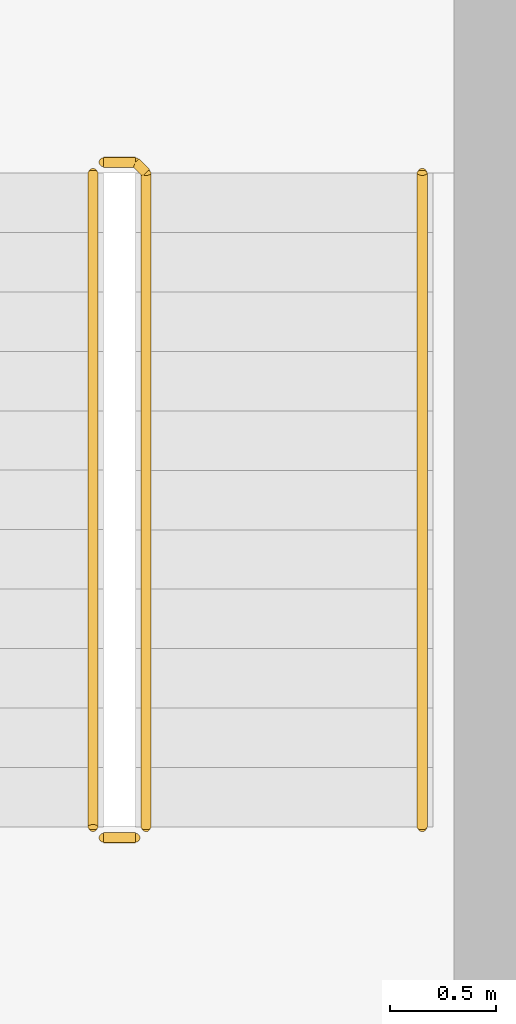
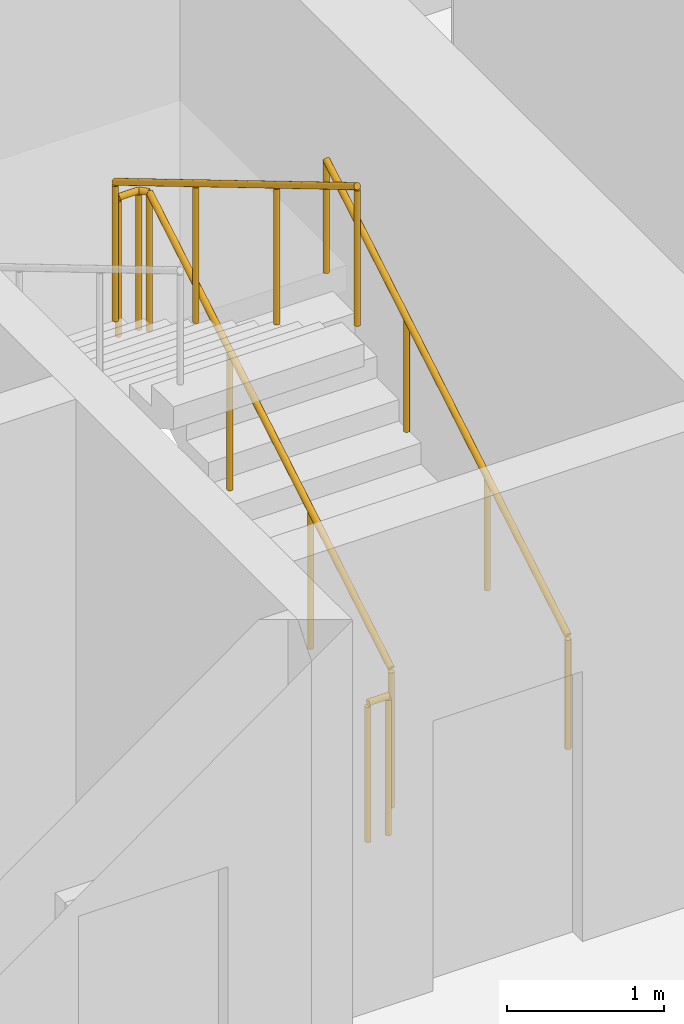
# One storey, part 14 of 14: 4 railings.
"""IFC4 building model written with IfcOpenShell, lengths in metres."""

from ifc_helpers import new_model, si_unit, direction, frame, origin, origin_2d, place, context, subcontext, project, spatial, circle, extrude, material, type_object, element, save


model = new_model("IFC4")

# Units and contexts
model_context = context("Model", 3, precision=1e-05, world=origin(), true_north=direction((0.0, 1.0)))
body_context = subcontext(model_context, "Body", "Model", "MODEL_VIEW")
ifc_project = project(units=[si_unit("LENGTHUNIT", "METRE"), si_unit("AREAUNIT", "SQUARE_METRE"), si_unit("VOLUMEUNIT", "CUBIC_METRE"), si_unit("PLANEANGLEUNIT", "RADIAN"), si_unit("MASSUNIT", "GRAM", prefix="KILO")], contexts=[model_context])

# Site, building, storey
site_placement = place(None, origin())
site = spatial("IfcSite", under=ifc_project, at=site_placement, CompositionType="ELEMENT")
building_placement = place(site_placement, origin())
building = spatial("IfcBuilding", under=site, at=building_placement, Name="Mopane Tessera Tower", CompositionType="ELEMENT")
storey_placement = place(building_placement, frame((0.0, 0.0, 219.0)))
storey = spatial("IfcBuildingStorey", under=building, at=storey_placement, Name="L46", CompositionType="ELEMENT", Elevation=219.0)

# Railings
ifc_material_1 = material(Name="Powder-coated steel balustrade", Category="steel")
railing_type_1 = type_object("IfcRailingType", Name="Escape stair guard 1100 mm", PredefinedType="GUARDRAIL", material=ifc_material_1)
railing_1_placement = place(storey_placement, frame((12.35009765625, 7.699951171875, 0.166748046875)))
element("IfcRailing", 1, at=railing_1_placement, inside=storey, type_object=railing_type_1, Name="L46 ST4 stair guard 1", PredefinedType="GUARDRAIL", context=body_context, shape_type="SweptSolid", body=[
    extrude(circle(Radius=0.02392578125, at=origin_2d()), frame((0.0, 0.0, 1.076171875), z_axis=(0.0, 0.859308565015, 0.511457515432), x_axis=(-1.0, 0.0, 0.0)), (0.0, 0.0, 1.0), 3.58447265625),
    extrude(circle(Radius=0.02392578125, at=origin_2d()), frame((0.0, 3.080078125, 2.9091796875), z_axis=(-0.707106781187, 0.707106781187, 0.0), x_axis=(-0.707106781187, -0.707106781187, 0.0)), (0.0, 0.0, 1.0), 0.07080078125),
    extrude(circle(Radius=0.02392578125, at=origin_2d()), frame((-0.050048828125, 3.130126953125, 2.9091796875), z_axis=(-1.0, 0.0, 0.0), x_axis=(0.0, -1.0, 0.0)), (0.0, 0.0, 1.0), 0.150146484375),
    extrude(circle(Radius=0.02099609375, at=origin_2d()), origin(), (0.0, 0.0, 1.0), 1.052001953125),
    extrude(circle(Radius=0.02099609375, at=origin_2d()), frame((0.0, 1.026611328125, 0.611083984375)), (0.0, 0.0, 1.0), 1.052001953125),
    extrude(circle(Radius=0.02099609375, at=origin_2d()), frame((0.0, 2.053466796875, 1.22216796875)), (0.0, 0.0, 1.0), 1.052001953125),
    extrude(circle(Radius=0.02099609375, at=origin_2d()), frame((0.0, 3.080078125, 1.833251953125)), (0.0, 0.0, 1.0), 1.052001953125),
    extrude(circle(Radius=0.02099609375, at=origin_2d()), frame((-0.050048828125, 3.130126953125, 1.833251953125)), (0.0, 0.0, 1.0), 1.052001953125),
    extrude(circle(Radius=0.02099609375, at=origin_2d()), frame((-0.2001953125, 3.130126953125, 1.833251953125)), (0.0, 0.0, 1.0), 1.052001953125),
])
railing_2_placement = place(storey_placement, frame((12.10009765625, 10.780029296875, 2.166748046875)))
element("IfcRailing", 2, at=railing_2_placement, inside=storey, type_object=railing_type_1, Name="L46 ST4 stair guard 2", PredefinedType="GUARDRAIL", context=body_context, shape_type="SweptSolid", body=[
    extrude(circle(Radius=0.02392578125, at=origin_2d()), frame((0.0, 0.0, 1.076171875), z_axis=(0.0, -0.859308565015, 0.511457515432), x_axis=(1.0, 0.0, 0.0)), (0.0, 0.0, 1.0), 3.58447265625),
    extrude(circle(Radius=0.02099609375, at=origin_2d()), origin(), (0.0, 0.0, 1.0), 1.052001953125),
    extrude(circle(Radius=0.02099609375, at=origin_2d()), frame((0.0, -1.026611328125, 0.611083984375)), (0.0, 0.0, 1.0), 1.052001953125),
    extrude(circle(Radius=0.02099609375, at=origin_2d()), frame((0.0, -2.053466796875, 1.22216796875)), (0.0, 0.0, 1.0), 1.052001953125),
    extrude(circle(Radius=0.02099609375, at=origin_2d()), frame((0.0, -3.080078125, 1.833251953125)), (0.0, 0.0, 1.0), 1.052001953125),
])
railing_3_placement = place(storey_placement, frame((12.300048828125, 7.64990234375, 0.0)))
element("IfcRailing", 3, at=railing_3_placement, inside=storey, type_object=railing_type_1, Name="L46 ST4 stair guard 3", PredefinedType="GUARDRAIL", context=body_context, shape_type="SweptSolid", body=[
    extrude(circle(Radius=0.02392578125, at=origin_2d()), frame((0.0, 0.0, 1.076171875), z_axis=(-1.0, 0.0, 0.0), x_axis=(0.0, -1.0, 0.0)), (0.0, 0.0, 1.0), 0.150146484375),
    extrude(circle(Radius=0.02099609375, at=origin_2d()), origin(), (0.0, 0.0, 1.0), 1.052001953125),
    extrude(circle(Radius=0.02099609375, at=origin_2d()), frame((-0.150146484375, 0.0, 0.0)), (0.0, 0.0, 1.0), 1.052001953125),
])
ifc_material_2 = material(Name="Powder-coated steel balustrade", Category="steel")
railing_type_2 = type_object("IfcRailingType", Name="Escape stair handrail 900 mm", PredefinedType="HANDRAIL", material=ifc_material_2)
railing_4_placement = place(storey_placement, frame((13.64990234375, 7.699951171875, 0.166748046875)))
element("IfcRailing", 4, at=railing_4_placement, inside=storey, type_object=railing_type_2, Name="L46 ST4 stair handrail 1", PredefinedType="HANDRAIL", context=body_context, shape_type="SweptSolid", body=[
    extrude(circle(Radius=0.02392578125, at=origin_2d()), frame((0.0, 0.0, 0.8759765625), z_axis=(0.0, 0.859308565015, 0.511457515432), x_axis=(-1.0, 0.0, 0.0)), (0.0, 0.0, 1.0), 3.58447265625),
    extrude(circle(Radius=0.02099609375, at=origin_2d()), origin(), (0.0, 0.0, 1.0), 0.851806640625),
    extrude(circle(Radius=0.02099609375, at=origin_2d()), frame((0.0, 1.026611328125, 0.611083984375)), (0.0, 0.0, 1.0), 0.851806640625),
    extrude(circle(Radius=0.02099609375, at=origin_2d()), frame((0.0, 2.053466796875, 1.22216796875)), (0.0, 0.0, 1.0), 0.851806640625),
    extrude(circle(Radius=0.02099609375, at=origin_2d()), frame((0.0, 3.080078125, 1.833251953125)), (0.0, 0.0, 1.0), 0.851806640625),
])

save(model, "model.ifc")
